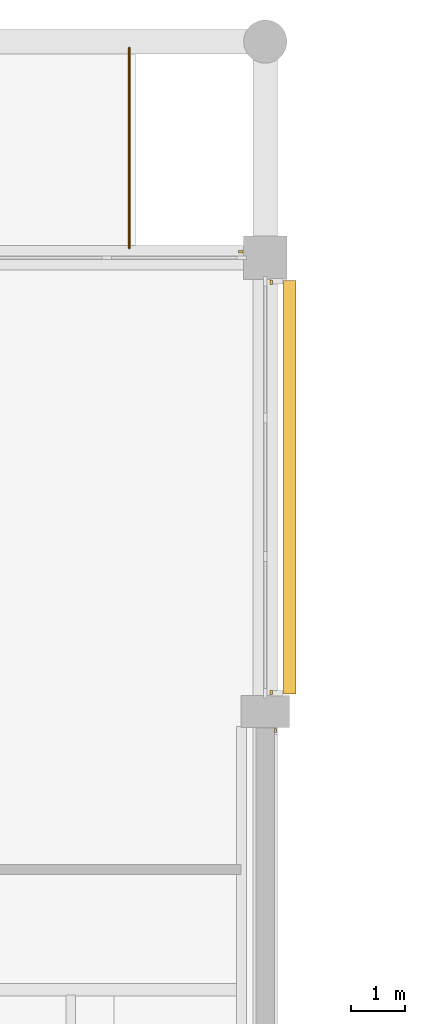
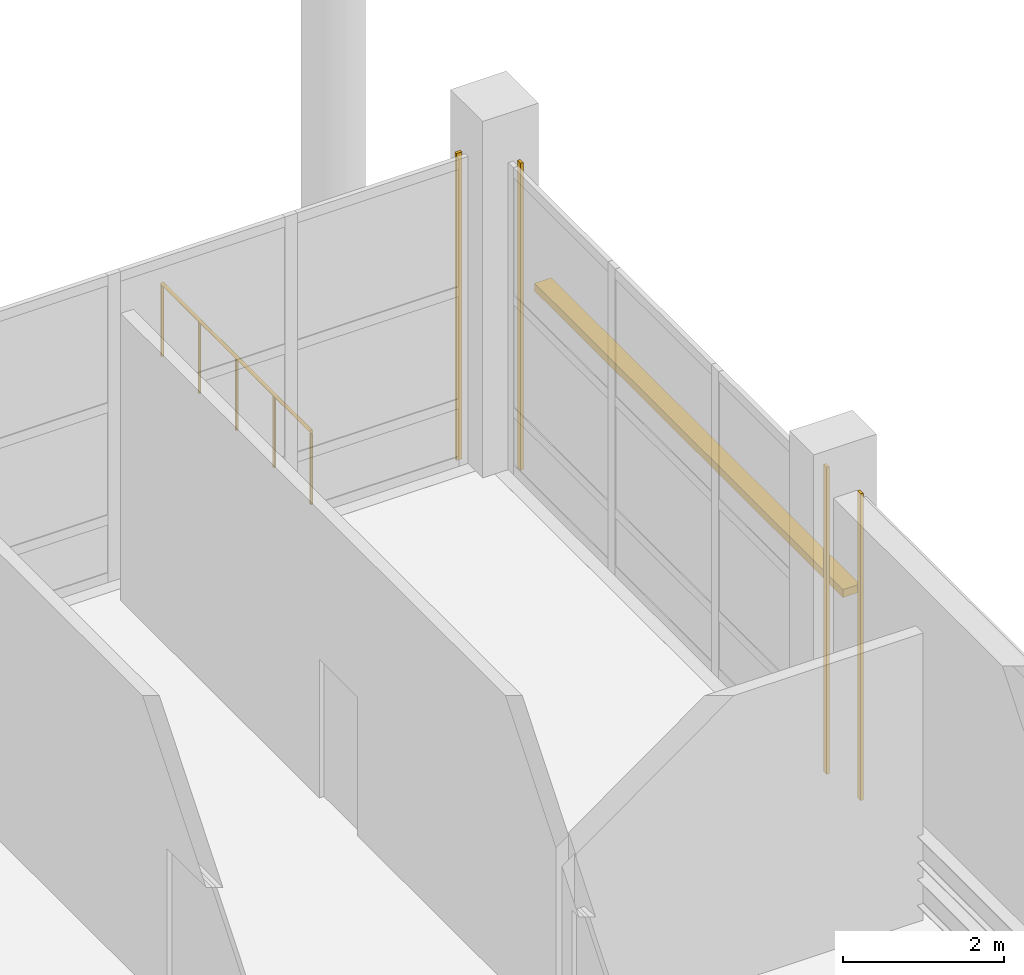
# One storey, part 133 of 140: 4 coverings, 1 railing, 1 shading device.
"""IFC4 building model written with IfcOpenShell, lengths in metres."""

import ifcopenshell
import ifcopenshell.guid

model = None  # the IFC model being written
_history = None  # IfcOwnerHistory: only IFC2X3 demands one
_inside = {}  # id of a spatial element -> (the spatial element, [elements in it])
_under = {}  # id of a project, library or spatial element -> (it, [spatial elements below it])
_declared = {}  # id of a project -> (the project, [libraries it declares])
_typed = {}  # id of a type object -> (the type object, [elements of that type])
_made_of = {}  # id of a material, layer set ... -> (it, [elements and type objects made of it])


def new_model(schema):
    """Start an empty IFC model of exactly this schema.

    Asked for "IFC4X3", IfcOpenShell would pick the latest addendum, in which some entities
    have other attributes; the version numbers below select the first issue.
    IFC2X3 requires an IfcOwnerHistory on every rooted entity: one is made here for all.
    """
    global model, _history
    if schema == "IFC4X3":
        model = ifcopenshell.file(schema_version=(4, 3, 0, 0))
    else:
        model = ifcopenshell.file(schema=schema)
    _inside.clear()
    _under.clear()
    _declared.clear()
    _typed.clear()
    _made_of.clear()
    _history = None
    if model.schema == "IFC2X3":
        org = make("IfcOrganization", Name="unknown")
        user = make(
            "IfcPersonAndOrganization",
            ThePerson=make("IfcPerson", FamilyName="unknown"),
            TheOrganization=org,
        )
        app = make(
            "IfcApplication",
            ApplicationDeveloper=org,
            Version="unknown",
            ApplicationFullName="unknown",
            ApplicationIdentifier="unknown",
        )
        _history = make(
            "IfcOwnerHistory",
            OwningUser=user,
            OwningApplication=app,
            ChangeAction="ADDED",
            CreationDate=0,
        )
    return model


def make(cls, **values):
    """One entity of the class cls with the attributes given. An attribute that is None is left unset."""
    return model.create_entity(
        cls, **{name: value for name, value in values.items() if value is not None}
    )


def rooted(cls, **values):
    """An entity with a GlobalId (a new one), such as an element, a storey or a relation."""
    return make(cls, GlobalId=ifcopenshell.guid.new(), OwnerHistory=_history, **values)


def si_unit(unit_type, name, prefix=None):
    """IfcSIUnit, for example si_unit("LENGTHUNIT", "METRE", prefix="MILLI")."""
    return make("IfcSIUnit", UnitType=unit_type, Prefix=prefix, Name=name)


def assignment(units):
    """IfcUnitAssignment: the units of a project."""
    return None if units is None else make("IfcUnitAssignment", Units=units)


def point(xyz):
    """IfcCartesianPoint."""
    return None if xyz is None else make("IfcCartesianPoint", Coordinates=xyz)


def direction(xyz):
    """IfcDirection."""
    return None if xyz is None else make("IfcDirection", DirectionRatios=xyz)


def frame(location, z_axis=None, x_axis=None):
    """IfcAxis2Placement3D, a coordinate frame: its origin and axes. An axis left out is left unset."""
    return make(
        "IfcAxis2Placement3D",
        Location=point(location),
        Axis=direction(z_axis),
        RefDirection=direction(x_axis),
    )


def frame_2d(location, x_axis=None):
    """IfcAxis2Placement2D, a coordinate frame in the plane: its origin and x axis."""
    return make(
        "IfcAxis2Placement2D", Location=point(location), RefDirection=direction(x_axis)
    )


def origin():
    """The frame at (0, 0, 0) with its axes left unset."""
    return frame((0.0, 0.0, 0.0))


def origin_2d():
    """The frame at (0, 0) in the plane with its x axis left unset."""
    return frame_2d((0.0, 0.0))


def place(relative_to, where):
    """IfcLocalPlacement: puts the frame where relative to a parent placement (None: the world)."""
    return make(
        "IfcLocalPlacement", PlacementRelTo=relative_to, RelativePlacement=where
    )


def context(
    kind, dimensions, precision=None, world=None, true_north=None, identifier=None
):
    """IfcGeometricRepresentationContext, for example the 3D "Model" context."""
    return make(
        "IfcGeometricRepresentationContext",
        ContextIdentifier=identifier,
        ContextType=kind,
        CoordinateSpaceDimension=dimensions,
        Precision=precision,
        WorldCoordinateSystem=world,
        TrueNorth=true_north,
    )


def subcontext(parent, identifier, kind, view, scale=None):
    """IfcGeometricRepresentationSubContext, for example "Body" below "Model"."""
    return make(
        "IfcGeometricRepresentationSubContext",
        ContextIdentifier=identifier,
        ContextType=kind,
        ParentContext=parent,
        TargetScale=scale,
        TargetView=view,
    )


def project(units=None, contexts=None):
    """IfcProject with its units and contexts."""
    return rooted(
        "IfcProject",
        Name="project",
        RepresentationContexts=contexts,
        UnitsInContext=assignment(units),
    )


def spatial(cls, under=None, at=None, **own):
    """A site, building, storey or space (cls), placed at a placement, below another one or the project."""
    s = rooted(cls, ObjectPlacement=at, **own)
    if under is not None:
        _under.setdefault(under.id(), (under, []))[1].append(s)
    return s


def profile(cls, at=None, kind="AREA", **sizes):
    """A parametric profile (cls). Its sizes go by their IFC names, for example OverallWidth=200.0."""
    return make(cls, ProfileType=kind, Position=at, **sizes)


def rectangle(**sizes):
    """IfcRectangleProfileDef."""
    return profile("IfcRectangleProfileDef", **sizes)


def circle(**sizes):
    """IfcCircleProfileDef."""
    return profile("IfcCircleProfileDef", **sizes)


def extrude(swept, where, along, depth):
    """IfcExtrudedAreaSolid: the profile swept, set in the frame where, extruded along a direction by depth."""
    return make(
        "IfcExtrudedAreaSolid",
        SweptArea=swept,
        Position=where,
        ExtrudedDirection=direction(along),
        Depth=depth,
    )


def shape(context_of_items, identifier, shape_type, items):
    """IfcShapeRepresentation: the items that make up one representation, for example the "Body"."""
    return make(
        "IfcShapeRepresentation",
        ContextOfItems=context_of_items,
        RepresentationIdentifier=identifier,
        RepresentationType=shape_type,
        Items=items,
    )


def material(Name=None, Category=None):
    """IfcMaterial."""
    return make("IfcMaterial", Name=Name, Category=Category)


def layer(
    of_material, thickness, ventilated=None, Name=None, Category=None, Priority=None
):
    """IfcMaterialLayer: one layer of a wall or slab, of a material (None: an air gap)."""
    return make(
        "IfcMaterialLayer",
        Material=of_material,
        LayerThickness=thickness,
        IsVentilated=ventilated,
        Name=Name,
        Category=Category,
        Priority=Priority,
    )


def layer_set(layers, Name=None):
    """IfcMaterialLayerSet."""
    return make("IfcMaterialLayerSet", MaterialLayers=layers, LayerSetName=Name)


def made_of(thing, what):
    """Note that an element or type object is made of a material, layer set ...; save() writes the relation."""
    if what is not None:
        _made_of.setdefault(what.id(), (what, []))[1].append(thing)
    return thing


def type_object(cls, material=None, **own):
    """A type object (cls), such as IfcWallType, which elements share."""
    return made_of(rooted(cls, **own), material)


def element(
    cls,
    number,
    at=None,
    inside=None,
    cuts=None,
    type_object=None,
    material=None,
    context=None,
    identifier="Body",
    shape_type=None,
    held_by="IfcProductDefinitionShape",
    body=None,
    shapes=None,
    **own,
):
    """One element of the class cls, such as IfcWall. Its Tag is "e" and its number.

    at: its placement. inside: the storey or other place that contains it. cuts: it is an
    opening in that element (IfcRelVoidsElement). A single representation is given by context,
    identifier, shape_type and body (its items); several are given by shapes. held_by: the class
    of the entity that holds the representations. save() writes the other relations.
    """
    e = rooted(cls, Tag="e%d" % number, ObjectPlacement=at, **own)
    if body is not None:
        shapes = [shape(context, identifier, shape_type, body)]
    if shapes is not None:
        e.Representation = make(held_by, Representations=shapes)
    if inside is not None:
        _inside.setdefault(inside.id(), (inside, []))[1].append(e)
    if cuts is not None:
        rooted(
            "IfcRelVoidsElement", RelatingBuildingElement=cuts, RelatedOpeningElement=e
        )
    if type_object is not None:
        _typed.setdefault(type_object.id(), (type_object, []))[1].append(e)
    return made_of(e, material)


def aggregate(whole, parts):
    """IfcRelAggregates: a whole, such as a stair, and the parts it consists of."""
    return rooted("IfcRelAggregates", RelatingObject=whole, RelatedObjects=parts)


def save(model, path):
    """Write the relations noted so far, then the file.

    IfcRelAggregates (storeys below a building ...), IfcRelContainedInSpatialStructure (elements
    in a storey), IfcRelDefinesByType, IfcRelAssociatesMaterial and IfcRelDeclares: one each for
    every whole, place, type object, material and project.
    """
    for whole, parts in _under.values():
        aggregate(whole, parts)
    for where, things in _inside.values():
        rooted(
            "IfcRelContainedInSpatialStructure",
            RelatedElements=things,
            RelatingStructure=where,
        )
    for kind, things in _typed.values():
        rooted("IfcRelDefinesByType", RelatedObjects=things, RelatingType=kind)
    for what, things in _made_of.values():
        rooted("IfcRelAssociatesMaterial", RelatedObjects=things, RelatingMaterial=what)
    for by, libraries in _declared.values():
        rooted("IfcRelDeclares", RelatingContext=by, RelatedDefinitions=libraries)
    model.write(path)


model = new_model("IFC4")

# Units and contexts
model_context = context("Model", 3, precision=1e-05, world=origin(), true_north=direction((0.0, 1.0)))
body_context = subcontext(model_context, "Body", "Model", "MODEL_VIEW")
ifc_project = project(units=[si_unit("LENGTHUNIT", "METRE"), si_unit("AREAUNIT", "SQUARE_METRE"), si_unit("VOLUMEUNIT", "CUBIC_METRE"), si_unit("PLANEANGLEUNIT", "RADIAN"), si_unit("MASSUNIT", "GRAM", prefix="KILO")], contexts=[model_context])

# Site, building, storey
site_placement = place(None, origin())
site = spatial("IfcSite", under=ifc_project, at=site_placement, CompositionType="ELEMENT")
building_placement = place(site_placement, origin())
building = spatial("IfcBuilding", under=site, at=building_placement, Name="Telukmera Botanical Conservatory", CompositionType="ELEMENT")
storey_placement = place(building_placement, origin())
storey = spatial("IfcBuildingStorey", under=building, at=storey_placement, Name="L00", CompositionType="ELEMENT", Elevation=0.0)

# Railing
ifc_material_1 = material(Name="Brushed stainless steel grade 316", Category="steel")
railing_type = type_object("IfcRailingType", Name="Exterior Terrace Safety Guardrail 1100", PredefinedType="GUARDRAIL", material=ifc_material_1)
railing_placement = place(storey_placement, frame((39.47998046875, 116.97998046875, 0.0)))
element("IfcRailing", 1, at=railing_placement, inside=storey, type_object=railing_type, Name="Auditorium North Portico East Guardrail", PredefinedType="GUARDRAIL", context=body_context, shape_type="SweptSolid", body=[
    extrude(circle(Radius=0.02392578125, at=origin_2d()), frame((0.0, 0.0, 1.09619140625), z_axis=(0.0, 1.0, 0.0), x_axis=(-1.0, 0.0, 0.0)), (0.0, 0.0, 1.0), 3.699951171875),
    extrude(circle(Radius=0.02099609375, at=origin_2d()), origin(), (0.0, 0.0, 1.0), 1.072021484375),
    extrude(circle(Radius=0.02099609375, at=origin_2d()), frame((0.0, 0.925048828125, 0.0)), (0.0, 0.0, 1.0), 1.072021484375),
    extrude(circle(Radius=0.02099609375, at=origin_2d()), frame((0.0, 1.85009765625, 0.0)), (0.0, 0.0, 1.0), 1.072021484375),
    extrude(circle(Radius=0.02099609375, at=origin_2d()), frame((0.0, 2.77490234375, 0.0)), (0.0, 0.0, 1.0), 1.072021484375),
    extrude(circle(Radius=0.02099609375, at=origin_2d()), frame((0.0, 3.699951171875, 0.0)), (0.0, 0.0, 1.0), 1.072021484375),
])

# Coverings
ifc_material_2 = material(Name="Granite-faced precast concrete C40/50", Category="masonry")
ifc_layer_1 = layer(ifc_material_2, 0.0400390625)
ifc_layer_set_1 = layer_set([ifc_layer_1], Name="Granite-faced precast concrete C40/50")
covering_type = type_object("IfcCoveringType", Name="Granite Precast Column Pier Reveal Casing", PredefinedType="CLADDING", material=ifc_layer_set_1)
for number, where, z_axis, x_axis, name in (
    (2, (41.548095703125, 116.909912109375, 0.0), (0.0, 0.0, 1.0), (1.0, 0.0, 0.0), "Granite Pier Reveal V2:L00:N4 R"),
    (3, (42.18994140625, 108.048095703125, 0.0), (0.0, 0.0, 1.0), (0.0, 1.0, 0.0), "Granite Pier Reveal V2:L00:E3 R"),
    (4, (42.110107421875, 108.751953125, 0.0), (0.0, 0.0, 1.0), (0.0, 1.0, 0.0), "Granite Pier Reveal V2:L00:E4 L"),
    (5, (42.110107421875, 116.347900390625, 0.0), (0.0, 0.0, 1.0), (0.0, 1.0, 0.0), "Granite Pier Reveal V2:L00:E4 R"),
):
    element("IfcCovering", number, at=place(storey_placement, frame(where, z_axis=z_axis, x_axis=x_axis)), inside=storey, type_object=covering_type, Name=name, PredefinedType="CLADDING", context=body_context, shape_type="SweptSolid", body=[
        extrude(rectangle(XDim=0.080078125, YDim=0.0400390625, at=origin_2d()), origin(), (0.0, 0.0, 1.0), 4.64990234375),
    ])

# Shading device
ifc_material_3 = material(Name="Perforated terracotta-anodised aluminium 6063-T6", Category="masonry")
ifc_layer_2 = layer(ifc_material_3, 0.044921875)
ifc_layer_set_2 = layer_set([ifc_layer_2], Name="Perforated terracotta-anodised aluminium 6063-T6")
shading_device_type = type_object("IfcShadingDeviceType", Name="Perforated Terracotta Aluminium Monsoon Brise Soleil", PredefinedType="JALOUSIE", material=ifc_layer_set_2)
shading_device_placement = place(storey_placement, frame((42.449951171875, 112.550048828125, 2.58984375), z_axis=(0.0, 0.0, 1.0), x_axis=(0.0, 1.0, 0.0)))
element("IfcShadingDevice", 6, at=shading_device_placement, inside=storey, type_object=shading_device_type, Name="Monsoon Shading BS01 V2:L00:E4", PredefinedType="JALOUSIE", context=body_context, shape_type="SweptSolid", body=[
    extrude(rectangle(XDim=7.656005859375, YDim=0.239990234375, at=origin_2d()), origin(), (0.0, 0.0, 1.0), 0.1201171875),
])

save(model, "model.ifc")
